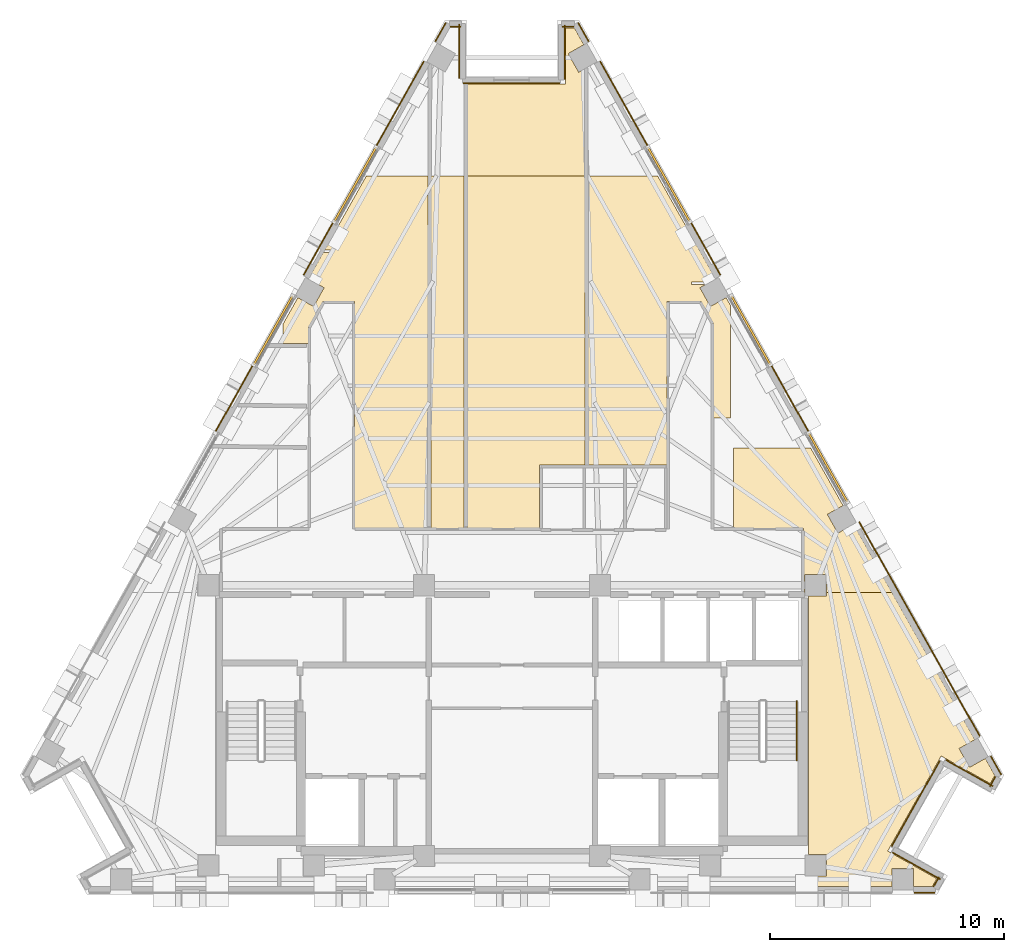
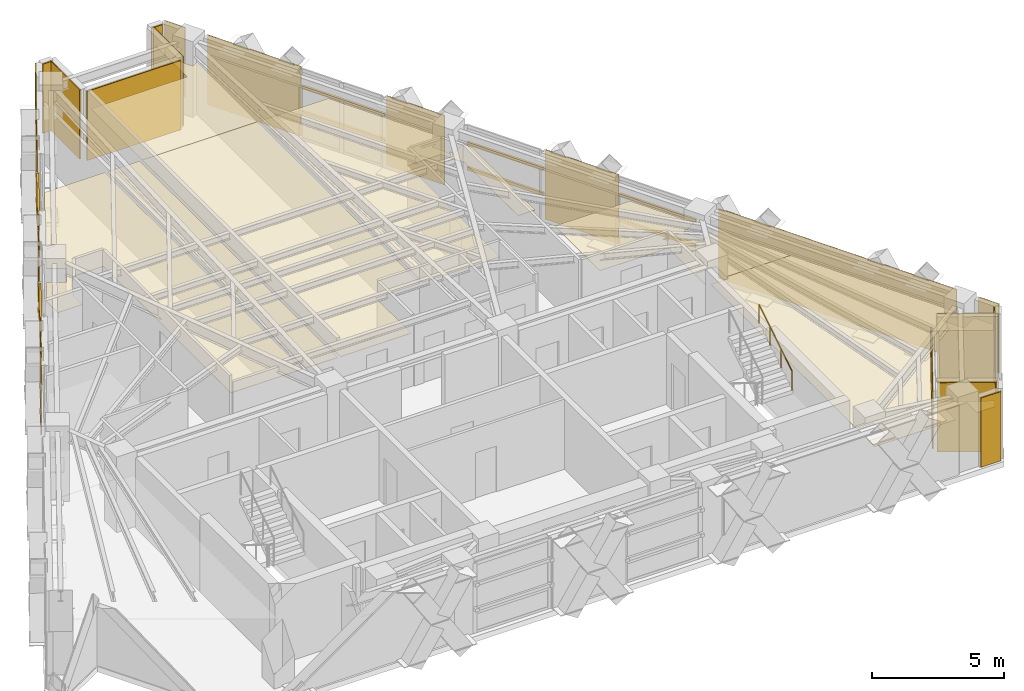
# One storey, part 12 of 12: 28 coverings, 10 shading devices, 1 railing.
"""IFC4 building model written with IfcOpenShell, lengths in metres."""

from ifc_helpers import new_model, si_unit, direction, frame, origin, origin_2d, place, context, subcontext, project, spatial, polyline, rectangle, circle, outline, extrude, material, layer, layer_set, material_profile, profile_set, type_object, element, save


model = new_model("IFC4")

# Units and contexts
model_context = context("Model", 3, precision=1e-05, world=origin(), true_north=direction((0.0, 1.0)))
body_context = subcontext(model_context, "Body", "Model", "MODEL_VIEW")
ifc_project = project(units=[si_unit("LENGTHUNIT", "METRE"), si_unit("AREAUNIT", "SQUARE_METRE"), si_unit("VOLUMEUNIT", "CUBIC_METRE"), si_unit("PLANEANGLEUNIT", "RADIAN"), si_unit("MASSUNIT", "GRAM", prefix="KILO")], contexts=[model_context])

# Site, building, storey
site_placement = place(None, origin())
site = spatial("IfcSite", under=ifc_project, at=site_placement, CompositionType="ELEMENT")
building_placement = place(site_placement, origin())
building = spatial("IfcBuilding", under=site, at=building_placement, Name="Quenlor Broadcast Tower", CompositionType="ELEMENT")
storey_placement = place(building_placement, frame((0.0, 0.0, 204.39990234375)))
storey = spatial("IfcBuildingStorey", under=building, at=storey_placement, Name="L56", CompositionType="ELEMENT", Elevation=204.39990234375)

# Coverings
ifc_material_1 = material(Name="Acoustic Mineral Fibre Board", Category="other")
ifc_layer_1 = layer(ifc_material_1, 0.02490234375)
ifc_layer_set_1 = layer_set([ifc_layer_1], Name="Acoustic Perforated Mineral Tile Ceiling 25")
covering_type_1 = type_object("IfcCoveringType", Name="Acoustic Perforated Mineral Tile Ceiling 25", PredefinedType="CEILING", material=ifc_layer_set_1)
covering_1_placement = place(storey_placement, frame((0.0, 0.0, 2.375)))
element("IfcCovering", 1, at=covering_1_placement, inside=storey, type_object=covering_type_1, Name="L56 Acoustic Ceiling L56-23", PredefinedType="CEILING", context=body_context, shape_type="SweptSolid", body=[
    extrude(outline(polyline([(-2.047607421875, -2.3701171875), (-3.4599609375, -2.3701171875), (-3.4599609375, 12.64990234375), (-2.047607421875, 12.64990234375), (-2.047607421875, -2.3701171875)])), origin(), (0.0, 0.0, 1.0), 0.025146484375),
])
covering_2_placement = place(storey_placement, frame((0.0, 0.0, 2.375)))
element("IfcCovering", 2, at=covering_2_placement, inside=storey, type_object=covering_type_1, Name="L56 Acoustic Ceiling L56-24", PredefinedType="CEILING", context=body_context, shape_type="SweptSolid", body=[
    extrude(outline(polyline([(3.1201171875, 0.320068359375), (1.179931640625, 0.320068359375), (1.179931640625, -2.3701171875), (-1.927490234375, -2.3701171875), (-1.927490234375, 12.64990234375), (3.1201171875, 12.64990234375), (3.1201171875, 0.320068359375)])), origin(), (0.0, 0.0, 1.0), 0.025146484375),
])
covering_3_placement = place(storey_placement, frame((0.0, 0.0, 2.375)))
element("IfcCovering", 3, at=covering_3_placement, inside=storey, type_object=covering_type_1, Name="L56 Acoustic Ceiling L56-24-2", PredefinedType="CEILING", context=body_context, shape_type="SweptSolid", body=[
    extrude(outline(polyline([(3.066162109375, 18.255615234375), (2.396728515625, 17.87890625), (2.845947265625, 17.08056640625), (3.1201171875, 17.23486328125), (3.1201171875, 12.64990234375), (-1.927490234375, 12.64990234375), (-1.927490234375, 16.572021484375), (2.2861328125, 16.572021484375), (2.2861328125, 18.971923828125), (2.6630859375, 18.971923828125), (3.066162109375, 18.255615234375)])), origin(), (0.0, 0.0, 1.0), 0.025146484375),
])
covering_4_placement = place(storey_placement, frame((0.0, 0.0, 2.375)))
element("IfcCovering", 4, at=covering_4_placement, inside=storey, type_object=covering_type_1, Name="L56 Acoustic Ceiling L56-25", PredefinedType="CEILING", context=body_context, shape_type="SweptSolid", body=[
    extrude(outline(polyline([(8.247802734375, 8.02001953125), (8.015869140625, 7.889404296875), (8.465087890625, 7.09130859375), (9.13427734375, 7.4677734375), (9.320068359375, 7.1376953125), (9.320068359375, 2.340087890625), (8.580078125, 2.340087890625), (8.580078125, 6.37255859375), (8.058349609375, 7.300048828125), (6.6201171875, 7.300048828125), (6.6201171875, 0.320068359375), (3.239990234375, 0.320068359375), (3.239990234375, 12.64990234375), (6.21923828125, 12.64990234375), (8.685302734375, 8.26611328125), (8.461181640625, 8.139892578125), (7.64990234375, 8.139892578125), (7.64990234375, 8.02001953125), (8.247802734375, 8.02001953125)])), origin(), (0.0, 0.0, 1.0), 0.025146484375),
])
covering_5_placement = place(storey_placement, frame((0.0, 0.0, 2.375)))
element("IfcCovering", 5, at=covering_5_placement, inside=storey, type_object=covering_type_1, Name="L56 Acoustic Ceiling L56-26", PredefinedType="CEILING", context=body_context, shape_type="SweptSolid", body=[
    extrude(outline(polyline([(-7.985595703125, 9.510009765625), (-6.21923828125, 12.64990234375), (-3.580078125, 12.64990234375), (-3.580078125, -2.3701171875), (-6.719970703125, -2.3701171875), (-6.719970703125, 7.300048828125), (-8.058349609375, 7.300048828125), (-8.679931640625, 6.19482421875), (-8.679931640625, 5.510009765625), (-9.760009765625, 5.510009765625), (-9.760009765625, 6.35546875), (-9.13427734375, 7.4677734375), (-8.465087890625, 7.09130859375), (-8.015869140625, 7.889404296875), (-8.685302734375, 8.26611328125), (-8.052978515625, 9.389892578125), (-7.64990234375, 9.389892578125), (-7.64990234375, 9.510009765625), (-7.985595703125, 9.510009765625)])), origin(), (0.0, 0.0, 1.0), 0.025146484375),
])
covering_6_placement = place(storey_placement, frame((0.0, 0.0, 2.375)))
element("IfcCovering", 6, at=covering_6_placement, inside=storey, type_object=covering_type_1, Name="L56 Acoustic Ceiling L56-30", PredefinedType="CEILING", context=body_context, shape_type="SweptSolid", body=[
    extrude(outline(polyline([(13.407958984375, -4.342041015625), (12.491943359375, -4.342041015625), (12.491943359375, -5.1201171875), (12.43994140625, -5.1201171875), (12.43994140625, -2.3701171875), (9.43994140625, -2.3701171875), (9.43994140625, 1.049072265625), (12.744873046875, 1.049072265625), (14.123046875, -1.401123046875), (13.45361328125, -1.777587890625), (13.90283203125, -2.575927734375), (14.572021484375, -2.199462890625), (16.21484375, -5.1201171875), (13.407958984375, -5.1201171875), (13.407958984375, -4.342041015625)])), origin(), (0.0, 0.0, 1.0), 0.025146484375),
])
covering_7_placement = place(storey_placement, frame((0.0, 0.0, 2.375)))
element("IfcCovering", 7, at=covering_7_placement, inside=storey, type_object=covering_type_1, Name="L56 Acoustic Ceiling L56-30-2", PredefinedType="CEILING", context=body_context, shape_type="SweptSolid", body=[
    extrude(outline(polyline([(13.407958984375, -5.1201171875), (16.21484375, -5.1201171875), (19.7421875, -11.390625), (19.07275390625, -11.76708984375), (19.52197265625, -12.5654296875), (20.191162109375, -12.18896484375), (20.597900390625, -12.912109375), (20.400390625, -13.26318359375), (18.30859375, -12.08642578125), (16.029052734375, -16.138916015625), (18.120849609375, -17.315673828125), (17.927001953125, -17.659912109375), (17.1337890625, -17.659912109375), (17.1337890625, -16.89208984375), (16.218017578125, -16.89208984375), (16.218017578125, -17.659912109375), (12.64990234375, -17.659912109375), (12.64990234375, -17.2080078125), (13.407958984375, -17.2080078125), (13.407958984375, -16.2919921875), (12.64990234375, -16.2919921875), (12.64990234375, -5.258056640625), (13.407958984375, -5.258056640625), (13.407958984375, -5.1201171875)])), origin(), (0.0, 0.0, 1.0), 0.025146484375),
])

# Shading devices
ifc_material_2 = material(Name="Architectural Terracotta Ceramic", Category="masonry")
ifc_material_profile = material_profile(ifc_material_2, rectangle(XDim=0.090087890625, YDim=0.139892578125, at=origin_2d()))
ifc_profile_set = profile_set([ifc_material_profile], Name="Architectural Terracotta Ceramic BAG90x140")
shading_device_type = type_object("IfcShadingDeviceType", Name="Copper Terracotta Baguette Solar Screen 140", PredefinedType="USERDEFINED", material=ifc_profile_set)
for number, where, z_axis, x_axis, name in (
    (8, (5.80029296875, 13.88037109375, 1.170166015625), (0.490232575405, -0.871591660132, 0.0), (0.871591660132, 0.490232575405, 0.0), "L56 Terracotta Baguette Screen 1"),
    (9, (5.80029296875, 13.88037109375, 2.340087890625), (0.490232575405, -0.871591660132, 0.0), (0.871591660132, 0.490232575405, 0.0), "L56 Terracotta Baguette Screen 2"),
):
    element("IfcShadingDevice", number, at=place(storey_placement, frame(where, z_axis=z_axis, x_axis=x_axis)), inside=storey, type_object=shading_device_type, Name=name, ObjectType="BAGUETTE", PredefinedType="USERDEFINED", context=body_context, shape_type="SweptSolid", body=[
        extrude(rectangle(XDim=0.090087890625, YDim=0.139892578125, at=origin_2d()), origin(), (0.0, 0.0, 1.0), 3.639404296875),
    ])
for number, where, z_axis, x_axis, name in (
    (10, (9.3642578125, 7.54443359375, 1.170166015625), (0.490250903893, -0.871581350897, 0.0), (0.871581350897, 0.490250903893, 0.0), "L56 Terracotta Baguette Screen 1"),
    (11, (9.3642578125, 7.54443359375, 2.340087890625), (0.490250903893, -0.871581350897, 0.0), (0.871581350897, 0.490250903893, 0.0), "L56 Terracotta Baguette Screen 2"),
):
    element("IfcShadingDevice", number, at=place(storey_placement, frame(where, z_axis=z_axis, x_axis=x_axis)), inside=storey, type_object=shading_device_type, Name=name, ObjectType="BAGUETTE", PredefinedType="USERDEFINED", context=body_context, shape_type="SweptSolid", body=[
        extrude(rectangle(XDim=0.090087890625, YDim=0.139892578125, at=origin_2d()), origin(), (0.0, 0.0, 1.0), 3.364501953125),
    ])
for number, where, z_axis, x_axis, name in (
    (12, (12.65869140625, 1.68798828125, 1.170166015625), (0.490195776457, -0.871612356925, 0.0), (0.871612356925, 0.490195776457, 0.0), "L56 Terracotta Baguette Screen 1"),
    (13, (12.65869140625, 1.68798828125, 2.340087890625), (0.490195776457, -0.871612356925, 0.0), (0.871612356925, 0.490195776457, 0.0), "L56 Terracotta Baguette Screen 2"),
):
    element("IfcShadingDevice", number, at=place(storey_placement, frame(where, z_axis=z_axis, x_axis=x_axis)), inside=storey, type_object=shading_device_type, Name=name, ObjectType="BAGUETTE", PredefinedType="USERDEFINED", context=body_context, shape_type="SweptSolid", body=[
        extrude(rectangle(XDim=0.090087890625, YDim=0.139892578125, at=origin_2d()), origin(), (0.0, 0.0, 1.0), 3.3642578125),
    ])
for number, where, z_axis, x_axis, name in (
    (14, (-7.58447265625, 10.708251953125, 1.170166015625), (0.490232575405, 0.871591660132, 0.0), (-0.871591660132, 0.490232575405, 0.0), "L56 Terracotta Baguette Screen 1"),
    (15, (-7.58447265625, 10.708251953125, 2.340087890625), (0.490232575405, 0.871591660132, 0.0), (-0.871591660132, 0.490232575405, 0.0), "L56 Terracotta Baguette Screen 2"),
):
    element("IfcShadingDevice", number, at=place(storey_placement, frame(where, z_axis=z_axis, x_axis=x_axis)), inside=storey, type_object=shading_device_type, Name=name, ObjectType="BAGUETTE", PredefinedType="USERDEFINED", context=body_context, shape_type="SweptSolid", body=[
        extrude(rectangle(XDim=0.090087890625, YDim=0.139892578125, at=origin_2d()), origin(), (0.0, 0.0, 1.0), 3.639404296875),
    ])
for number, where, z_axis, x_axis, name in (
    (16, (-11.013671875, 4.612060546875, 1.170166015625), (0.490250903893, 0.871581350897, 0.0), (-0.871581350897, 0.490250903893, 0.0), "L56 Terracotta Baguette Screen 1"),
    (17, (-11.013671875, 4.612060546875, 2.340087890625), (0.490250903893, 0.871581350897, 0.0), (-0.871581350897, 0.490250903893, 0.0), "L56 Terracotta Baguette Screen 2"),
):
    element("IfcShadingDevice", number, at=place(storey_placement, frame(where, z_axis=z_axis, x_axis=x_axis)), inside=storey, type_object=shading_device_type, Name=name, ObjectType="BAGUETTE", PredefinedType="USERDEFINED", context=body_context, shape_type="SweptSolid", body=[
        extrude(rectangle(XDim=0.090087890625, YDim=0.139892578125, at=origin_2d()), origin(), (0.0, 0.0, 1.0), 3.364501953125),
    ])

# Coverings
ifc_material_3 = material(Name="Architectural Terracotta Ceramic", Category="masonry")
ifc_layer_2 = layer(ifc_material_3, 0.044921875)
ifc_layer_set_2 = layer_set([ifc_layer_2], Name="Fluted Terracotta Rainscreen Cladding Panel")
covering_type_2 = type_object("IfcCoveringType", Name="Fluted Terracotta Rainscreen Cladding Panel", PredefinedType="CLADDING", material=ifc_layer_set_2)
covering_8_placement = place(storey_placement, frame((0.0, 0.0, 0.02001953125)))
element("IfcCovering", 18, at=covering_8_placement, inside=storey, type_object=covering_type_2, Name="L56 Terracotta Rainscreen Cladding L56-SHD-SS0", PredefinedType="CLADDING", context=body_context, shape_type="SweptSolid", body=[
    extrude(outline(polyline([(18.035888671875, -17.886962890625), (17.160888671875, -17.886962890625), (17.160888671875, -17.931884765625), (18.035888671875, -17.931884765625), (18.035888671875, -17.886962890625)])), origin(), (0.0, 0.0, 1.0), 3.2099609375),
])
covering_9_placement = place(storey_placement, frame((0.0, 0.0, 0.02001953125)))
element("IfcCovering", 19, at=covering_9_placement, inside=storey, type_object=covering_type_2, Name="L56 Terracotta Rainscreen Cladding L56-SHD-NES0", PredefinedType="CLADDING", context=body_context, shape_type="SweptSolid", body=[
    extrude(outline(polyline([(2.8076171875, 19.17822265625), (3.250732421875, 18.390380859375), (3.2900390625, 18.412353515625), (2.8466796875, 19.2001953125), (2.8076171875, 19.17822265625)])), origin(), (0.0, 0.0, 1.0), 3.2099609375),
])
covering_10_placement = place(storey_placement, frame((0.0, 0.0, 0.02001953125)))
element("IfcCovering", 20, at=covering_10_placement, inside=storey, type_object=covering_type_2, Name="L56 Terracotta Rainscreen Cladding L56-SHD-NES1", PredefinedType="CLADDING", context=body_context, shape_type="SweptSolid", body=[
    extrude(outline(polyline([(20.402099609375, -12.10107421875), (20.845458984375, -12.888916015625), (20.884521484375, -12.866943359375), (20.44140625, -12.0791015625), (20.402099609375, -12.10107421875)])), origin(), (0.0, 0.0, 1.0), 3.2099609375),
])
covering_11_placement = place(storey_placement, frame((0.0, 0.0, 0.02001953125)))
element("IfcCovering", 21, at=covering_11_placement, inside=storey, type_object=covering_type_2, Name="L56 Terracotta Rainscreen Cladding L56-NEA-SP1", PredefinedType="CLADDING", context=body_context, shape_type="SweptSolid", body=[
    extrude(outline(polyline([(3.744873046875, 17.532470703125), (5.76806640625, 13.935546875), (5.80712890625, 13.95751953125), (3.7841796875, 17.554443359375), (3.744873046875, 17.532470703125)])), origin(), (0.0, 0.0, 1.0), 3.2099609375),
])
covering_12_placement = place(storey_placement, frame((0.0, 0.0, 0.02001953125)))
element("IfcCovering", 22, at=covering_12_placement, inside=storey, type_object=covering_type_2, Name="L56 Terracotta Rainscreen Cladding L56-NEA-SP2", PredefinedType="CLADDING", context=body_context, shape_type="SweptSolid", body=[
    extrude(outline(polyline([(7.614990234375, 10.652099609375), (8.86865234375, 8.42333984375), (8.907958984375, 8.4453125), (7.654296875, 10.674072265625), (7.614990234375, 10.652099609375)])), origin(), (0.0, 0.0, 1.0), 3.2099609375),
])
covering_13_placement = place(storey_placement, frame((0.0, 0.0, 0.02001953125)))
element("IfcCovering", 23, at=covering_13_placement, inside=storey, type_object=covering_type_2, Name="L56 Terracotta Rainscreen Cladding L56-EW-NEC", PredefinedType="CLADDING", context=body_context, shape_type="SweptSolid", body=[
    extrude(outline(polyline([(14.7919921875, -2.106689453125), (19.935302734375, -11.250732421875), (19.974609375, -11.228759765625), (14.831298828125, -2.084716796875), (14.7919921875, -2.106689453125)])), origin(), (0.0, 0.0, 1.0), 3.2099609375),
])
covering_14_placement = place(storey_placement, frame((0.0, 0.0, 0.02001953125)))
element("IfcCovering", 24, at=covering_14_placement, inside=storey, type_object=covering_type_2, Name="L56 Terracotta Rainscreen Cladding L56-NE-SP1", PredefinedType="CLADDING", context=body_context, shape_type="SweptSolid", body=[
    extrude(outline(polyline([(11.044189453125, 4.555908203125), (12.626220703125, 1.7431640625), (12.66552734375, 1.76513671875), (11.08349609375, 4.577880859375), (11.044189453125, 4.555908203125)])), origin(), (0.0, 0.0, 1.0), 3.2099609375),
])
covering_15_placement = place(storey_placement, frame((0.0, 0.0, 0.02001953125)))
element("IfcCovering", 25, at=covering_15_placement, inside=storey, type_object=covering_type_2, Name="L56 Terracotta Rainscreen Cladding L56-SHD-NWS1", PredefinedType="CLADDING", context=body_context, shape_type="SweptSolid", body=[
    extrude(outline(polyline([(-3.250732421875, 18.390380859375), (-2.8076171875, 19.17822265625), (-2.8466796875, 19.2001953125), (-3.2900390625, 18.412353515625), (-3.250732421875, 18.390380859375)])), origin(), (0.0, 0.0, 1.0), 3.2099609375),
])
covering_16_placement = place(storey_placement, frame((0.0, 0.0, 0.02001953125)))
element("IfcCovering", 26, at=covering_16_placement, inside=storey, type_object=covering_type_2, Name="L56 Terracotta Rainscreen Cladding L56-NWC-SP1", PredefinedType="CLADDING", context=body_context, shape_type="SweptSolid", body=[
    extrude(outline(polyline([(-8.86865234375, 8.42333984375), (-7.614990234375, 10.652099609375), (-7.654296875, 10.674072265625), (-8.907958984375, 8.4453125), (-8.86865234375, 8.42333984375)])), origin(), (0.0, 0.0, 1.0), 3.2099609375),
])
covering_17_placement = place(storey_placement, frame((0.0, 0.0, 0.02001953125)))
element("IfcCovering", 27, at=covering_17_placement, inside=storey, type_object=covering_type_2, Name="L56 Terracotta Rainscreen Cladding L56-NWC-SP2", PredefinedType="CLADDING", context=body_context, shape_type="SweptSolid", body=[
    extrude(outline(polyline([(-5.76806640625, 13.935546875), (-3.744873046875, 17.532470703125), (-3.7841796875, 17.554443359375), (-5.80712890625, 13.95751953125), (-5.76806640625, 13.935546875)])), origin(), (0.0, 0.0, 1.0), 3.2099609375),
])
covering_18_placement = place(storey_placement, frame((0.0, 0.0, 0.02001953125)))
element("IfcCovering", 28, at=covering_18_placement, inside=storey, type_object=covering_type_2, Name="L56 Terracotta Rainscreen Cladding L56-NW-SP1", PredefinedType="CLADDING", context=body_context, shape_type="SweptSolid", body=[
    extrude(outline(polyline([(-12.626220703125, 1.7431640625), (-11.044189453125, 4.555908203125), (-11.08349609375, 4.577880859375), (-12.66552734375, 1.76513671875), (-12.626220703125, 1.7431640625)])), origin(), (0.0, 0.0, 1.0), 3.2099609375),
])
covering_19_placement = place(storey_placement, frame((0.0, 0.0, 0.02001953125)))
element("IfcCovering", 29, at=covering_19_placement, inside=storey, type_object=covering_type_2, Name="L56 Terracotta Rainscreen Cladding L56-CNR-01", PredefinedType="CLADDING", context=body_context, shape_type="SweptSolid", body=[
    extrude(outline(polyline([(18.284912109375, -17.329833984375), (16.245361328125, -16.1826171875), (16.223388671875, -16.2216796875), (18.262939453125, -17.368896484375), (18.284912109375, -17.329833984375)])), origin(), (0.0, 0.0, 1.0), 3.2099609375),
])
covering_20_placement = place(storey_placement, frame((0.0, 0.0, 0.02001953125)))
element("IfcCovering", 30, at=covering_20_placement, inside=storey, type_object=covering_type_2, Name="L56 Terracotta Rainscreen Cladding L56-CNR-02", PredefinedType="CLADDING", context=body_context, shape_type="SweptSolid", body=[
    extrude(outline(polyline([(16.2109375, -15.954345703125), (18.264892578125, -12.302734375), (18.225830078125, -12.28076171875), (16.171630859375, -15.932373046875), (16.2109375, -15.954345703125)])), origin(), (0.0, 0.0, 1.0), 2.681884765625),
])
covering_21_placement = place(storey_placement, frame((0.0, 0.0, 0.02001953125)))
element("IfcCovering", 31, at=covering_21_placement, inside=storey, type_object=covering_type_2, Name="L56 Terracotta Rainscreen Cladding L56-CNR-03", PredefinedType="CLADDING", context=body_context, shape_type="SweptSolid", body=[
    extrude(outline(polyline([(18.493408203125, -12.268310546875), (20.497802734375, -13.39599609375), (20.52001953125, -13.356689453125), (18.515380859375, -12.22900390625), (18.493408203125, -12.268310546875)])), origin(), (0.0, 0.0, 1.0), 3.2099609375),
])
covering_22_placement = place(storey_placement, frame((0.0, 0.0, 0.02001953125)))
element("IfcCovering", 32, at=covering_22_placement, inside=storey, type_object=covering_type_2, Name="L56 Terracotta Rainscreen Cladding L56-CNR-04", PredefinedType="CLADDING", context=body_context, shape_type="SweptSolid", body=[
    extrude(outline(polyline([(20.40576171875, -13.39208984375), (20.64306640625, -12.970458984375), (20.60400390625, -12.948486328125), (20.36669921875, -13.3701171875), (20.40576171875, -13.39208984375)])), origin(), (0.0, 0.0, 1.0), 3.2099609375),
])
covering_23_placement = place(storey_placement, frame((0.0, 0.0, 0.02001953125)))
element("IfcCovering", 33, at=covering_23_placement, inside=storey, type_object=covering_type_2, Name="L56 Terracotta Rainscreen Cladding L56-CNR-06", PredefinedType="CLADDING", context=body_context, shape_type="SweptSolid", body=[
    extrude(outline(polyline([(2.62841796875, 19.0400390625), (2.13623046875, 19.0400390625), (2.13623046875, 18.9951171875), (2.62841796875, 18.9951171875), (2.62841796875, 19.0400390625)])), origin(), (0.0, 0.0, 1.0), 3.2099609375),
])
covering_24_placement = place(storey_placement, frame((0.0, 0.0, 0.02001953125)))
element("IfcCovering", 34, at=covering_24_placement, inside=storey, type_object=covering_type_2, Name="L56 Terracotta Rainscreen Cladding L56-CNR-07", PredefinedType="CLADDING", context=body_context, shape_type="SweptSolid", body=[
    extrude(outline(polyline([(2.21826171875, 19.08203125), (2.21826171875, 16.781982421875), (2.26318359375, 16.781982421875), (2.26318359375, 19.08203125), (2.21826171875, 19.08203125)])), origin(), (0.0, 0.0, 1.0), 3.2099609375),
])
covering_25_placement = place(storey_placement, frame((0.0, 0.0, 0.02001953125)))
element("IfcCovering", 35, at=covering_25_placement, inside=storey, type_object=covering_type_2, Name="L56 Terracotta Rainscreen Cladding L56-CNR-08", PredefinedType="CLADDING", context=body_context, shape_type="SweptSolid", body=[
    extrude(outline(polyline([(2.0361328125, 16.639892578125), (-2.076171875, 16.639892578125), (-2.076171875, 16.594970703125), (2.0361328125, 16.594970703125), (2.0361328125, 16.639892578125)])), origin(), (0.0, 0.0, 1.0), 3.2099609375),
])
covering_26_placement = place(storey_placement, frame((0.0, 0.0, 0.02001953125)))
element("IfcCovering", 36, at=covering_26_placement, inside=storey, type_object=covering_type_2, Name="L56 Terracotta Rainscreen Cladding L56-CNR-09", PredefinedType="CLADDING", context=body_context, shape_type="SweptSolid", body=[
    extrude(outline(polyline([(-2.21826171875, 16.822021484375), (-2.21826171875, 19.1220703125), (-2.26318359375, 19.1220703125), (-2.26318359375, 16.822021484375), (-2.21826171875, 16.822021484375)])), origin(), (0.0, 0.0, 1.0), 3.2099609375),
])
covering_27_placement = place(storey_placement, frame((0.0, 0.0, 0.02001953125)))
element("IfcCovering", 37, at=covering_27_placement, inside=storey, type_object=covering_type_2, Name="L56 Terracotta Rainscreen Cladding L56-CNR-10", PredefinedType="CLADDING", context=body_context, shape_type="SweptSolid", body=[
    extrude(outline(polyline([(-2.17626953125, 19.0400390625), (-2.62841796875, 19.0400390625), (-2.62841796875, 18.9951171875), (-2.17626953125, 18.9951171875), (-2.17626953125, 19.0400390625)])), origin(), (0.0, 0.0, 1.0), 3.2099609375),
])
covering_28_placement = place(storey_placement, frame((0.0, 0.0, 0.02001953125)))
element("IfcCovering", 38, at=covering_28_placement, inside=storey, type_object=covering_type_2, Name="L56 Terracotta Rainscreen Cladding L56-CNR-18", PredefinedType="CLADDING", context=body_context, shape_type="SweptSolid", body=[
    extrude(outline(polyline([(17.99853515625, -17.671630859375), (18.234130859375, -17.2529296875), (18.19482421875, -17.23095703125), (17.959228515625, -17.649658203125), (17.99853515625, -17.671630859375)])), origin(), (0.0, 0.0, 1.0), 3.2099609375),
])

# Railing
ifc_material_4 = material(Name="Anodised Aluminium", Category="aluminium")
railing_type = type_object("IfcRailingType", Name="Stainless Aluminium Wall Handrail 900", PredefinedType="HANDRAIL", material=ifc_material_4)
railing_placement = place(storey_placement, frame((12.14990234375, -12.27001953125, 1.925048828125)))
element("IfcRailing", 39, at=railing_placement, inside=storey, type_object=railing_type, Name="L56 ST-2 stair handrail 2", PredefinedType="HANDRAIL", context=body_context, shape_type="SweptSolid", body=[
    extrude(circle(Radius=0.02392578125, at=origin_2d()), frame((0.0, 0.0, 0.8759765625), z_axis=(0.0, 0.848007534815, 0.529984170421), x_axis=(-1.0, 0.0, 0.0)), (0.0, 0.0, 1.0), 2.9716796875),
    extrude(circle(Radius=0.02099609375, at=origin_2d()), origin(), (0.0, 0.0, 1.0), 0.851806640625),
    extrude(circle(Radius=0.02099609375, at=origin_2d()), frame((0.0, 0.840087890625, 0.52490234375)), (0.0, 0.0, 1.0), 0.851806640625),
    extrude(circle(Radius=0.02099609375, at=origin_2d()), frame((0.0, 1.679931640625, 1.050048828125)), (0.0, 0.0, 1.0), 0.851806640625),
    extrude(circle(Radius=0.02099609375, at=origin_2d()), frame((0.0, 2.52001953125, 1.574951171875)), (0.0, 0.0, 1.0), 0.851806640625),
])

save(model, "model.ifc")
